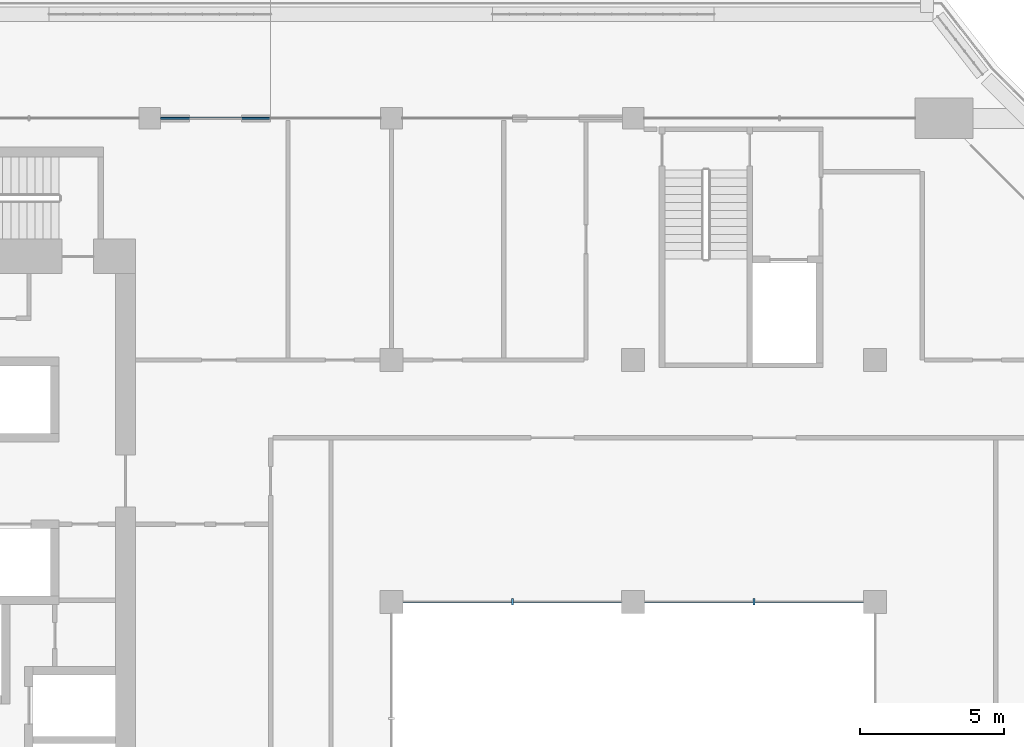
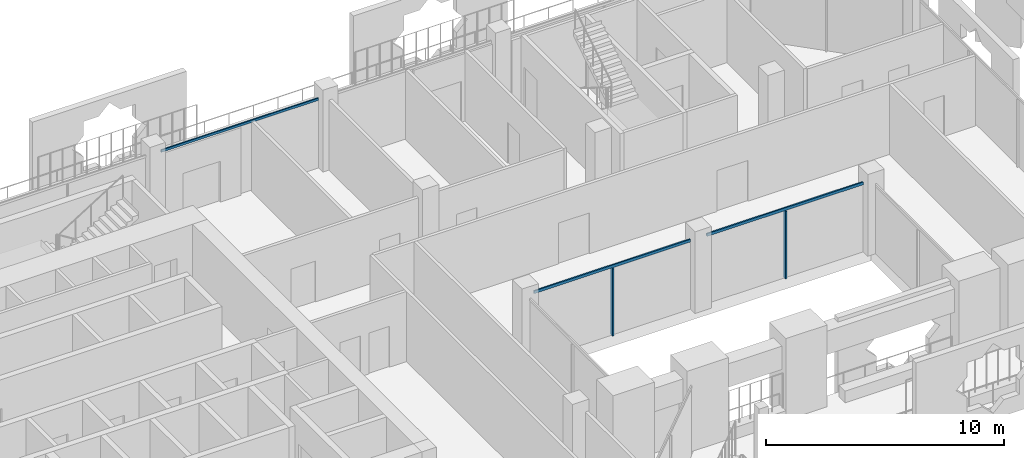
# One storey, part 7 of 23: 5 members, 2 elements without a shape of their own.
"""IFC4 building model written with IfcOpenShell, lengths in metres."""

from ifc_helpers import new_model, si_unit, direction, frame, origin, origin_2d, place, context, subcontext, project, spatial, rectangle, extrude, material, layer, layer_set, material_profile, profile_set, type_object, element, aggregate, save


model = new_model("IFC4")

# Units and contexts
model_context = context("Model", 3, precision=1e-05, world=origin(), true_north=direction((0.0, 1.0)))
body_context = subcontext(model_context, "Body", "Model", "MODEL_VIEW")
ifc_project = project(units=[si_unit("LENGTHUNIT", "METRE"), si_unit("AREAUNIT", "SQUARE_METRE"), si_unit("VOLUMEUNIT", "CUBIC_METRE"), si_unit("PLANEANGLEUNIT", "RADIAN"), si_unit("MASSUNIT", "GRAM", prefix="KILO")], contexts=[model_context])

# Site, building, storey
site_placement = place(None, origin())
site = spatial("IfcSite", under=ifc_project, at=site_placement, CompositionType="ELEMENT")
building_placement = place(site_placement, origin())
building = spatial("IfcBuilding", under=site, at=building_placement, Name="Kawkab Arch Medical Tower", CompositionType="ELEMENT")
storey_placement = place(building_placement, frame((0.0, 0.0, 281.800048828125)))
storey = spatial("IfcBuildingStorey", under=building, at=storey_placement, Name="L65", CompositionType="ELEMENT", Elevation=281.800048828125)

# Curtain wall, member
ifc_material_1 = material(Name="Bronze anodised aluminium curtain wall frame", Category="aluminium")
ifc_layer_1 = layer(ifc_material_1, 0.159912109375)
ifc_layer_set_1 = layer_set([ifc_layer_1], Name="Bronze anodised aluminium curtain wall frame")
curtain_wall_type_1 = type_object("IfcCurtainWallType", Name="CW1 ward curtain wall", PredefinedType="NOTDEFINED", material=ifc_layer_set_1)
placement = place(storey_placement, origin())
curtain_wall_1 = element("IfcCurtainWall", 1, at=placement, inside=storey, type_object=curtain_wall_type_1, Name="CW1 Ward curtain wall R10", PredefinedType="NOTDEFINED")
ifc_material_2 = material(Name="Bronze anodised aluminium curtain wall frame", Category="aluminium")
ifc_material_profile_1 = material_profile(ifc_material_2, rectangle(XDim=0.06005859375, YDim=0.1201171875, at=origin_2d()), Name="AL 60x120")
ifc_profile_set_1 = profile_set([ifc_material_profile_1], Name="Bronze anodised aluminium curtain wall frame")
member_type_1 = type_object("IfcMemberType", Name="CW1 transom 120 x 60", PredefinedType="USERDEFINED", material=ifc_profile_set_1)
member_1_placement = place(storey_placement, frame((33.22509765625, 0.0, 3.5400390625), z_axis=(-1.0, 0.0, 0.0), x_axis=(0.0, -1.0, 0.0)))
member_1 = element("IfcMember", 2, at=member_1_placement, type_object=member_type_1, Name="CW1 transom 3", ObjectType="TRANSOM", PredefinedType="USERDEFINED", context=body_context, shape_type="SweptSolid", body=[
    extrude(rectangle(XDim=0.06005859375, YDim=0.1201171875, at=origin_2d()), origin(), (0.0, 0.0, 1.0), 7.650146484375),
])
aggregate(curtain_wall_1, [member_1])

# Curtain wall, members
ifc_material_3 = material(Name="Bronze anodised aluminium curtain wall frame", Category="aluminium")
ifc_layer_2 = layer(ifc_material_3, 0.159912109375)
ifc_layer_set_2 = layer_set([ifc_layer_2], Name="Bronze anodised aluminium curtain wall frame")
curtain_wall_type_2 = type_object("IfcCurtainWallType", Name="CW3 sky garden curtain wall", PredefinedType="NOTDEFINED", material=ifc_layer_set_2)
curtain_wall_2 = element("IfcCurtainWall", 3, at=placement, inside=storey, type_object=curtain_wall_type_2, Name="CW3 Sky garden curtain wall R04", PredefinedType="NOTDEFINED")
ifc_material_4 = material(Name="Bronze anodised aluminium curtain wall frame", Category="aluminium")
ifc_material_profile_2 = material_profile(ifc_material_4, rectangle(XDim=0.219970703125, YDim=0.070068359375, at=origin_2d()), Name="AL 70x220")
ifc_profile_set_2 = profile_set([ifc_material_profile_2], Name="Bronze anodised aluminium curtain wall frame")
member_type_2 = type_object("IfcMemberType", Name="CW3 mullion 70 x 220", PredefinedType="MULLION", material=ifc_profile_set_2)
member_2_placement = place(storey_placement, frame((37.800048828125, -16.800048828125, 0.0), z_axis=(0.0, 0.0, 1.0), x_axis=(0.0, 1.0, 0.0)))
member_2 = element("IfcMember", 4, at=member_2_placement, type_object=member_type_2, Name="CW3 mullion 1.1", PredefinedType="MULLION", context=body_context, shape_type="SweptSolid", body=[
    extrude(rectangle(XDim=0.219970703125, YDim=0.070068359375, at=origin_2d()), origin(), (0.0, 0.0, 1.0), 3.4599609375),
])
member_3_placement = place(storey_placement, frame((46.199951171875, -16.800048828125, 0.0), z_axis=(0.0, 0.0, 1.0), x_axis=(0.0, 1.0, 0.0)))
member_3 = element("IfcMember", 5, at=member_3_placement, type_object=member_type_2, Name="CW3 mullion 2.1", PredefinedType="MULLION", context=body_context, shape_type="SweptSolid", body=[
    extrude(rectangle(XDim=0.219970703125, YDim=0.070068359375, at=origin_2d()), origin(), (0.0, 0.0, 1.0), 3.4599609375),
])
ifc_material_5 = material(Name="Bronze anodised aluminium curtain wall frame", Category="aluminium")
ifc_material_profile_3 = material_profile(ifc_material_5, rectangle(XDim=0.070068359375, YDim=0.139892578125, at=origin_2d()), Name="AL 70x140")
ifc_profile_set_3 = profile_set([ifc_material_profile_3], Name="Bronze anodised aluminium curtain wall frame")
member_type_3 = type_object("IfcMemberType", Name="CW3 transom 140 x 70", PredefinedType="USERDEFINED", material=ifc_profile_set_3)
member_4_placement = place(storey_placement, frame((34.0, -16.800048828125, 3.530029296875), z_axis=(1.0, 0.0, 0.0), x_axis=(0.0, 1.0, 0.0)))
member_4 = element("IfcMember", 6, at=member_4_placement, type_object=member_type_3, Name="CW3 transom 1", ObjectType="TRANSOM", PredefinedType="USERDEFINED", context=body_context, shape_type="SweptSolid", body=[
    extrude(rectangle(XDim=0.070068359375, YDim=0.139892578125, at=origin_2d()), origin(), (0.0, 0.0, 1.0), 7.60009765625),
])
member_5_placement = place(storey_placement, frame((42.39990234375, -16.800048828125, 3.530029296875), z_axis=(1.0, 0.0, 0.0), x_axis=(0.0, 1.0, 0.0)))
member_5 = element("IfcMember", 7, at=member_5_placement, type_object=member_type_3, Name="CW3 transom 2", ObjectType="TRANSOM", PredefinedType="USERDEFINED", context=body_context, shape_type="SweptSolid", body=[
    extrude(rectangle(XDim=0.070068359375, YDim=0.139892578125, at=origin_2d()), origin(), (0.0, 0.0, 1.0), 7.60009765625),
])
aggregate(curtain_wall_2, [member_4, member_2, member_5, member_3])

save(model, "model.ifc")
